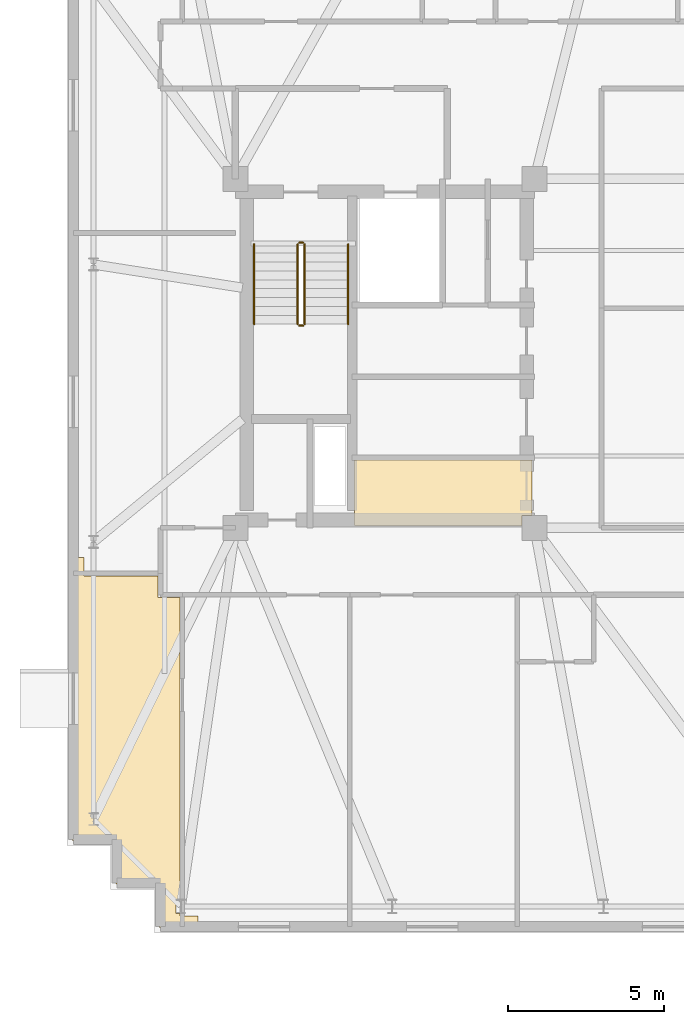
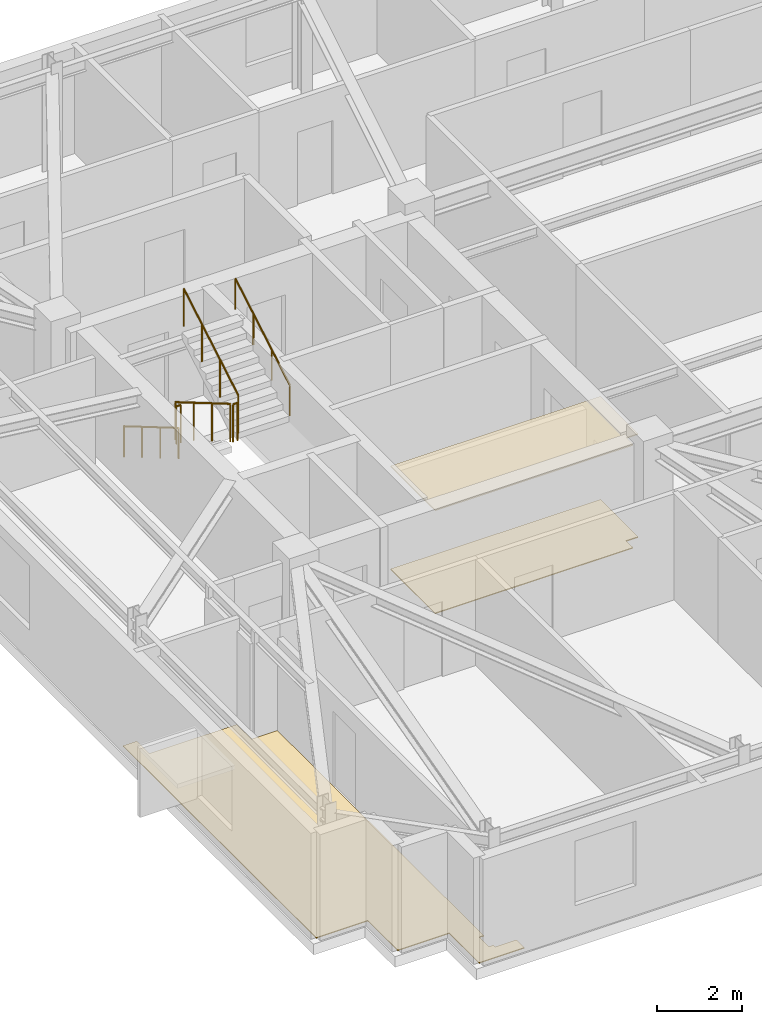
# One storey, part 10 of 11: 6 railings, 3 coverings.
"""IFC4 building model written with IfcOpenShell, lengths in metres."""

from ifc_helpers import new_model, si_unit, direction, frame, origin, origin_2d, place, context, subcontext, project, spatial, polyline, circle, outline, extrude, material, layer, layer_set, type_object, element, save


model = new_model("IFC4")

# Units and contexts
model_context = context("Model", 3, precision=1e-05, world=origin(), true_north=direction((0.0, 1.0)))
body_context = subcontext(model_context, "Body", "Model", "MODEL_VIEW")
ifc_project = project(units=[si_unit("LENGTHUNIT", "METRE"), si_unit("AREAUNIT", "SQUARE_METRE"), si_unit("VOLUMEUNIT", "CUBIC_METRE"), si_unit("PLANEANGLEUNIT", "RADIAN"), si_unit("MASSUNIT", "GRAM", prefix="KILO")], contexts=[model_context])

# Site, building, storey
site_placement = place(None, origin())
site = spatial("IfcSite", under=ifc_project, at=site_placement, CompositionType="ELEMENT")
building_placement = place(site_placement, origin())
building = spatial("IfcBuilding", under=site, at=building_placement, Name="Qobustan Lattice House", CompositionType="ELEMENT")
storey_placement = place(building_placement, frame((0.0, 0.0, 255.10009765625)))
storey = spatial("IfcBuildingStorey", under=building, at=storey_placement, Name="L72", CompositionType="ELEMENT", Elevation=255.10009765625)

# Coverings
ifc_material_1 = material(Name="Perforated gypsum acoustic ceiling", Category="gypsum")
ifc_layer_1 = layer(ifc_material_1, 0.030029296875)
ifc_layer_set_1 = layer_set([ifc_layer_1], Name="Perforated gypsum acoustic ceiling")
covering_type_1 = type_object("IfcCoveringType", Name="COV-ACOUSTIC-CEIL", PredefinedType="CEILING", material=ifc_layer_set_1)
covering_1_placement = place(storey_placement, frame((0.0, 0.0, 2.949951171875)))
element("IfcCovering", 1, at=covering_1_placement, inside=storey, type_object=covering_type_1, Name="L72 Collaborative study lounge acoustic ceiling", PredefinedType="CEILING", context=body_context, shape_type="SweptSolid", body=[
    extrude(outline(polyline([(-9.280029296875, -3.429931640625), (-14.969970703125, -3.429931640625), (-14.969970703125, -5.52001953125), (-9.60205078125, -5.52001953125), (-9.60205078125, -5.197998046875), (-9.280029296875, -5.197998046875), (-9.280029296875, -3.429931640625)])), origin(), (0.0, 0.0, 1.0), 0.030029296875),
])
ifc_material_2 = material(Name="Honed Absheron stone terrazzo flooring", Category="masonry")
ifc_layer_2 = layer(ifc_material_2, 0.02490234375)
ifc_layer_set_2 = layer_set([ifc_layer_2], Name="Honed Absheron stone terrazzo flooring")
covering_type_2 = type_object("IfcCoveringType", Name="COV-TERRAZZO-FLR", PredefinedType="FLOORING", material=ifc_layer_set_2)
covering_2_placement = place(storey_placement, origin())
element("IfcCovering", 2, at=covering_2_placement, inside=storey, type_object=covering_type_2, Name="L72 Collaborative study lounge stone terrazzo flooring", PredefinedType="FLOORING", context=body_context, shape_type="SweptSolid", body=[
    extrude(outline(polyline([(-9.280029296875, -3.429931640625), (-14.969970703125, -3.429931640625), (-14.969970703125, -5.52001953125), (-9.60205078125, -5.52001953125), (-9.60205078125, -5.197998046875), (-9.280029296875, -5.197998046875), (-9.280029296875, -3.429931640625)])), origin(), (0.0, 0.0, 1.0), 0.02490234375),
])
covering_3_placement = place(storey_placement, origin())
element("IfcCovering", 3, at=covering_3_placement, inside=storey, type_object=covering_type_2, Name="L72 Focus study room W1 stone terrazzo flooring", PredefinedType="FLOORING", context=body_context, shape_type="SweptSolid", body=[
    extrude(outline(polyline([(-21.22998046875, -18.429931640625), (-20.0, -18.429931640625), (-20.0, -18.06005859375), (-20.580078125, -18.06005859375), (-20.580078125, -17.97705078125), (-20.701904296875, -17.97705078125), (-20.701904296875, -17.52294921875), (-20.580078125, -17.52294921875), (-20.580078125, -7.830078125), (-21.280029296875, -7.830078125), (-21.280029296875, -7.139892578125), (-23.659912109375, -7.139892578125), (-23.659912109375, -6.56005859375), (-24.030029296875, -6.56005859375), (-24.030029296875, -15.6298828125), (-22.6298828125, -15.6298828125), (-22.6298828125, -17.030029296875), (-21.22998046875, -17.030029296875), (-21.22998046875, -18.429931640625)])), origin(), (0.0, 0.0, 1.0), 0.02490234375),
])

# Railings
ifc_material_3 = material(Name="Brushed stainless steel handrail", Category="steel")
railing_type_1 = type_object("IfcRailingType", Name="RAL-HR-920", PredefinedType="HANDRAIL", material=ifc_material_3)
railing_1_placement = place(storey_placement, frame((-18.199951171875, 3.5, 0.16748046875)))
element("IfcRailing", 4, at=railing_1_placement, inside=storey, type_object=railing_type_1, Name="L72 ST-W1 stair handrail 1", PredefinedType="HANDRAIL", context=body_context, shape_type="SweptSolid", body=[
    extrude(circle(Radius=0.02392578125, at=origin_2d()), frame((0.0, 0.0, 0.8759765625), z_axis=(0.0, -0.862149314443, 0.506654280161), x_axis=(1.0, 0.0, 0.0)), (0.0, 0.0, 1.0), 2.97509765625),
    extrude(circle(Radius=0.02099609375, at=origin_2d()), origin(), (0.0, 0.0, 1.0), 0.851806640625),
    extrude(circle(Radius=0.02099609375, at=origin_2d()), frame((0.0, -0.85498046875, 0.50244140625)), (0.0, 0.0, 1.0), 0.851806640625),
    extrude(circle(Radius=0.02099609375, at=origin_2d()), frame((0.0, -1.7099609375, 1.0048828125)), (0.0, 0.0, 1.0), 0.851806640625),
    extrude(circle(Radius=0.02099609375, at=origin_2d()), frame((0.0, -2.56494140625, 1.50732421875)), (0.0, 0.0, 1.0), 0.851806640625),
])
railing_2_placement = place(storey_placement, frame((-15.179931640625, 0.93505859375, 1.84228515625)))
element("IfcRailing", 5, at=railing_2_placement, inside=storey, type_object=railing_type_1, Name="L72 ST-W1 stair handrail 2", PredefinedType="HANDRAIL", context=body_context, shape_type="SweptSolid", body=[
    extrude(circle(Radius=0.02392578125, at=origin_2d()), frame((0.0, 0.0, 0.8759765625), z_axis=(0.0, 0.862113467892, 0.50671527358), x_axis=(-1.0, 0.0, 0.0)), (0.0, 0.0, 1.0), 2.97509765625),
    extrude(circle(Radius=0.02099609375, at=origin_2d()), origin(), (0.0, 0.0, 1.0), 0.851806640625),
    extrude(circle(Radius=0.02099609375, at=origin_2d()), frame((0.0, 0.85498046875, 0.50244140625)), (0.0, 0.0, 1.0), 0.851806640625),
    extrude(circle(Radius=0.02099609375, at=origin_2d()), frame((0.0, 1.7099609375, 1.005126953125)), (0.0, 0.0, 1.0), 0.851806640625),
    extrude(circle(Radius=0.02099609375, at=origin_2d()), frame((0.0, 2.56494140625, 1.507568359375)), (0.0, 0.0, 1.0), 0.851806640625),
])
ifc_material_4 = material(Name="Painted galvanized steel guardrail", Category="steel")
railing_type_2 = type_object("IfcRailingType", Name="RAL-STG-1150", PredefinedType="GUARDRAIL", material=ifc_material_4)
railing_3_placement = place(storey_placement, frame((-16.800048828125, 3.5, 0.16748046875)))
element("IfcRailing", 6, at=railing_3_placement, inside=storey, type_object=railing_type_2, Name="L72 ST-W1 stair guard 1", PredefinedType="GUARDRAIL", context=body_context, shape_type="SweptSolid", body=[
    extrude(circle(Radius=0.02392578125, at=origin_2d()), frame((0.0, 0.0, 1.076171875), z_axis=(0.0, -0.862149314443, 0.506654280161), x_axis=(1.0, 0.0, 0.0)), (0.0, 0.0, 1.0), 2.97509765625),
    extrude(circle(Radius=0.02099609375, at=origin_2d()), origin(), (0.0, 0.0, 1.0), 1.052001953125),
    extrude(circle(Radius=0.02099609375, at=origin_2d()), frame((0.0, -0.85498046875, 0.50244140625)), (0.0, 0.0, 1.0), 1.052001953125),
    extrude(circle(Radius=0.02099609375, at=origin_2d()), frame((0.0, -1.7099609375, 1.0048828125)), (0.0, 0.0, 1.0), 1.052001953125),
    extrude(circle(Radius=0.02099609375, at=origin_2d()), frame((0.0, -2.56494140625, 1.50732421875)), (0.0, 0.0, 1.0), 1.052001953125),
])
railing_4_placement = place(storey_placement, frame((-16.75, 0.885009765625, 1.6748046875)))
element("IfcRailing", 7, at=railing_4_placement, inside=storey, type_object=railing_type_2, Name="L72 ST-W1 stair guard 2", PredefinedType="GUARDRAIL", context=body_context, shape_type="SweptSolid", body=[
    extrude(circle(Radius=0.02392578125, at=origin_2d()), frame((0.0, 0.0, 1.076171875), z_axis=(1.0, 0.0, 0.0), x_axis=(0.0, 1.0, 0.0)), (0.0, 0.0, 1.0), 0.1201171875),
    extrude(circle(Radius=0.02099609375, at=origin_2d()), origin(), (0.0, 0.0, 1.0), 1.052001953125),
    extrude(circle(Radius=0.02099609375, at=origin_2d()), frame((0.1201171875, 0.0, 0.0)), (0.0, 0.0, 1.0), 1.052001953125),
])
railing_5_placement = place(storey_placement, frame((-16.580078125, 0.93505859375, 1.84228515625)))
element("IfcRailing", 8, at=railing_5_placement, inside=storey, type_object=railing_type_2, Name="L72 ST-W1 stair guard 3", PredefinedType="GUARDRAIL", context=body_context, shape_type="SweptSolid", body=[
    extrude(circle(Radius=0.02392578125, at=origin_2d()), frame((0.0, 0.0, 1.076171875), z_axis=(0.0, 0.862113467892, 0.50671527358), x_axis=(-1.0, 0.0, 0.0)), (0.0, 0.0, 1.0), 2.97509765625),
    extrude(circle(Radius=0.02099609375, at=origin_2d()), origin(), (0.0, 0.0, 1.0), 1.052001953125),
    extrude(circle(Radius=0.02099609375, at=origin_2d()), frame((0.0, 0.85498046875, 0.50244140625)), (0.0, 0.0, 1.0), 1.052001953125),
    extrude(circle(Radius=0.02099609375, at=origin_2d()), frame((0.0, 1.7099609375, 1.005126953125)), (0.0, 0.0, 1.0), 1.052001953125),
    extrude(circle(Radius=0.02099609375, at=origin_2d()), frame((0.0, 2.56494140625, 1.507568359375)), (0.0, 0.0, 1.0), 1.052001953125),
])
railing_6_placement = place(storey_placement, frame((-16.75, 3.550048828125, 0.0)))
element("IfcRailing", 9, at=railing_6_placement, inside=storey, type_object=railing_type_2, Name="L72 ST-W1 stair guard 4", PredefinedType="GUARDRAIL", context=body_context, shape_type="SweptSolid", body=[
    extrude(circle(Radius=0.02392578125, at=origin_2d()), frame((0.0, 0.0, 1.076171875), z_axis=(1.0, 0.0, 0.0), x_axis=(0.0, 1.0, 0.0)), (0.0, 0.0, 1.0), 0.1201171875),
    extrude(circle(Radius=0.02099609375, at=origin_2d()), origin(), (0.0, 0.0, 1.0), 1.052001953125),
    extrude(circle(Radius=0.02099609375, at=origin_2d()), frame((0.1201171875, 0.0, 0.0)), (0.0, 0.0, 1.0), 1.052001953125),
])

save(model, "model.ifc")
